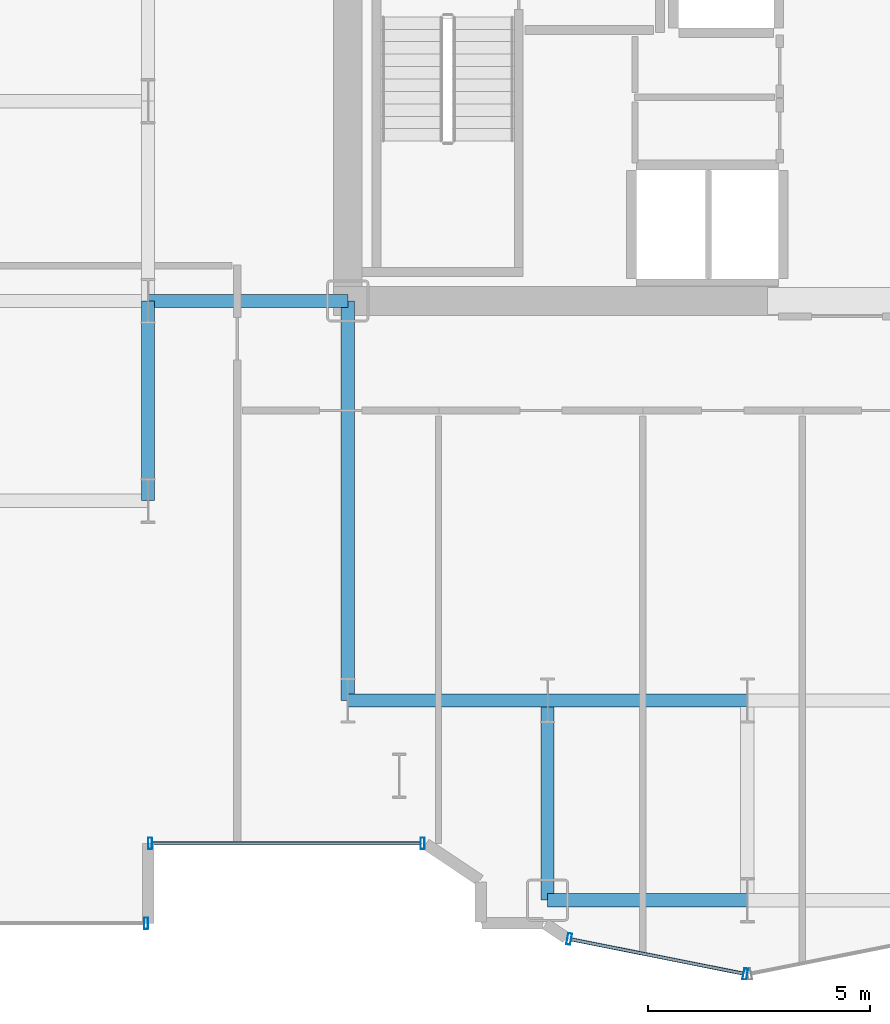
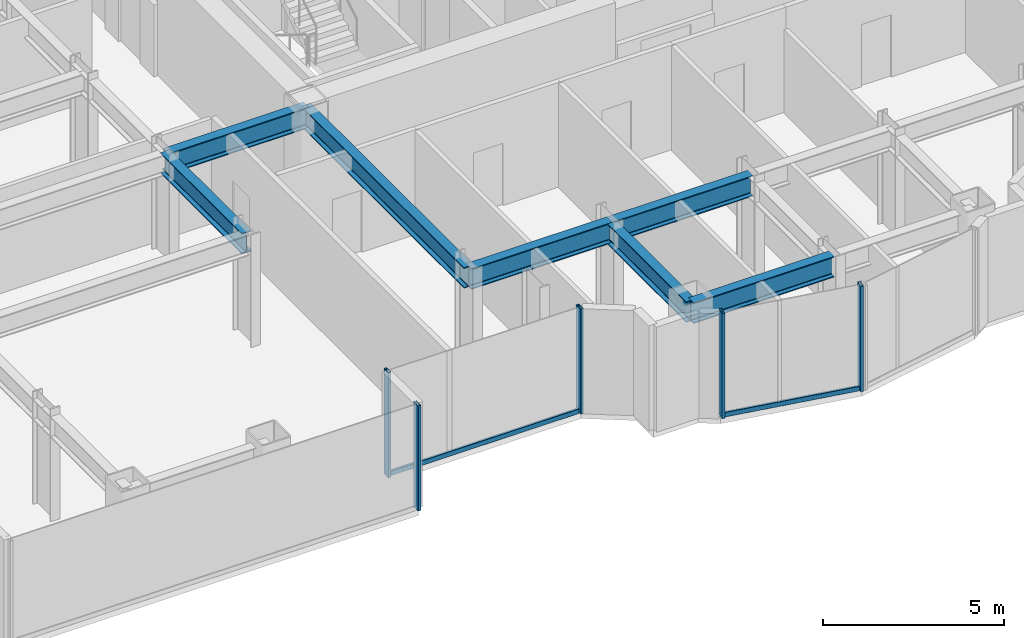
# One storey, part 4 of 26: 7 beams, 7 members, 3 elements without a shape of their own.
"""IFC4 building model written with IfcOpenShell, lengths in metres."""

from ifc_helpers import new_model, si_unit, direction, frame, origin, origin_2d, place, context, subcontext, project, spatial, hollow_rectangle, i_section, extrude, source, transform, mapped, material, layer, layer_set, material_profile, profile_set, type_object, element, aggregate, save


model = new_model("IFC4")

# Units and contexts
model_context = context("Model", 3, precision=1e-05, world=origin(), true_north=direction((0.0, 1.0)))
body_context = subcontext(model_context, "Body", "Model", "MODEL_VIEW")
ifc_project = project(units=[si_unit("LENGTHUNIT", "METRE"), si_unit("AREAUNIT", "SQUARE_METRE"), si_unit("VOLUMEUNIT", "CUBIC_METRE"), si_unit("PLANEANGLEUNIT", "RADIAN"), si_unit("MASSUNIT", "GRAM", prefix="KILO")], contexts=[model_context])

# Site, building, storey
site_placement = place(None, origin())
site = spatial("IfcSite", under=ifc_project, at=site_placement, CompositionType="ELEMENT")
building_placement = place(site_placement, origin())
building = spatial("IfcBuilding", under=site, at=building_placement, Name="Nefas-Gora Pilgrimage Tower", CompositionType="ELEMENT")
storey_placement = place(building_placement, frame((0.0, 0.0, 40.60009765625)))
storey = spatial("IfcBuildingStorey", under=building, at=storey_placement, Name="L08", CompositionType="ELEMENT", Elevation=40.60009765625)

# Beams
ifc_material_1 = material(Name="Steel S355", Category="steel")
ifc_material_profile_1 = material_profile(ifc_material_1, i_section(OverallWidth=0.300048828125, OverallDepth=0.699951171875, WebThickness=0.01708984375, FlangeThickness=0.031982421875, FilletRadius=0.027099609375, at=origin_2d()), Name="HEB 700")
ifc_profile_set_1 = profile_set([ifc_material_profile_1], Name="Steel S355")
beam_type = type_object("IfcBeamType", Name="BM-GIR-HEB700", PredefinedType="BEAM", material=ifc_profile_set_1)
shared_shape_1 = source(origin(), body_context, "Body", "SweptSolid", [
    extrude(i_section(OverallWidth=0.300048828125, OverallDepth=0.699951171875, WebThickness=0.01708984375, FlangeThickness=0.031982421875, FilletRadius=0.027099609375, at=origin_2d()), origin(), (0.0, 0.0, 1.0), 9.0),
])
beam_placement = place(storey_placement, frame((-11.25, -18.0, 3.199951171875), z_axis=(0.0, 1.0, 0.0), x_axis=(-1.0, 0.0, 0.0)))
element("IfcBeam", 1, at=beam_placement, inside=storey, type_object=beam_type, Name="L08 G-02 beam", PredefinedType="BEAM", context=body_context, shape_type="MappedRepresentation", body=[
    mapped(shared_shape_1, transform((0.0, 0.0, 0.0), x_axis=(1.0, 0.0, 0.0), y_axis=(0.0, 1.0, 0.0), z_axis=(0.0, 0.0, 1.0), scale=1.0)),
])
shared_shape_2 = source(origin(), body_context, "Body", "SweptSolid", [
    extrude(i_section(OverallWidth=0.300048828125, OverallDepth=0.699951171875, WebThickness=0.01708984375, FlangeThickness=0.031982421875, FilletRadius=0.027099609375, at=origin_2d()), origin(), (0.0, 0.0, 1.0), 4.5),
])
for number, where, z_axis, x_axis, name in (
    (2, (-15.75, -13.5, 3.199951171875), (0.0, 1.0, 0.0), (-1.0, 0.0, 0.0), "L08 G-02 beam"),
    (3, (-15.75, -9.0, 3.199951171875), (1.0, 0.0, 0.0), (0.0, 1.0, 0.0), "L08 G-02 beam"),
    (4, (-11.25, -18.0, 3.199951171875), (1.0, 0.0, 0.0), (0.0, 1.0, 0.0), "L08 G-02 beam"),
    (5, (-6.75, -22.5, 3.199951171875), (0.0, 1.0, 0.0), (-1.0, 0.0, 0.0), "L08 G-02 beam"),
    (6, (-6.75, -22.5, 3.199951171875), (1.0, 0.0, 0.0), (0.0, 1.0, 0.0), "L08 G-02 beam"),
    (7, (-6.75, -18.0, 3.199951171875), (1.0, 0.0, 0.0), (0.0, 1.0, 0.0), "L08 G-02 beam"),
):
    element("IfcBeam", number, at=place(storey_placement, frame(where, z_axis=z_axis, x_axis=x_axis)), inside=storey, type_object=beam_type, Name=name, PredefinedType="BEAM", context=body_context, shape_type="MappedRepresentation", body=[
        mapped(shared_shape_2, transform((0.0, 0.0, 0.0), x_axis=(1.0, 0.0, 0.0), y_axis=(0.0, 1.0, 0.0), z_axis=(0.0, 0.0, 1.0), scale=1.0)),
    ])

# Curtain wall, member
ifc_material_2 = material(Name="Dark ceramic-fritted solar-control aluminium-glass curtain wall", Category="aluminium")
ifc_layer_1 = layer(ifc_material_2, 0.219970703125)
ifc_layer_set_1 = layer_set([ifc_layer_1], Name="Dark ceramic-fritted solar-control aluminium-glass curtain wall")
curtain_wall_type_1 = type_object("IfcCurtainWallType", Name="CW-SYS-5", PredefinedType="NOTDEFINED", material=ifc_layer_set_1)
curtain_wall_1_placement = place(storey_placement, origin())
curtain_wall_1 = element("IfcCurtainWall", 8, at=curtain_wall_1_placement, inside=storey, type_object=curtain_wall_type_1, Name="L08 Unitised Curtain Wall CW5", PredefinedType="NOTDEFINED")
ifc_material_3 = material(Name="Anodised architectural aluminium", Category="aluminium")
ifc_material_profile_2 = material_profile(ifc_material_3, hollow_rectangle(XDim=0.080078125, YDim=0.159912109375, WallThickness=0.00439453125, InnerFilletRadius=0.00439453125, OuterFilletRadius=0.009033203125, at=origin_2d()), Name="ALU TRANSOM 80x160")
ifc_profile_set_2 = profile_set([ifc_material_profile_2], Name="Anodised architectural aluminium")
member_type_1 = type_object("IfcMemberType", Name="CWM-TRN-5", PredefinedType="USERDEFINED", material=ifc_profile_set_2)
shared_shape_3 = source(origin(), body_context, "Body", "SweptSolid", [
    extrude(hollow_rectangle(XDim=0.080078125, YDim=0.159912109375, WallThickness=0.00439453125, InnerFilletRadius=0.00439453125, OuterFilletRadius=0.009033203125, at=origin_2d()), origin(), (0.0, 0.0, 1.0), 6.052001953125),
])
member_1_placement = place(storey_placement, frame((-15.659912109375, -21.219970703125, 0.0498046875), z_axis=(1.0, 0.0, 0.0), x_axis=(0.0, 1.0, 0.0)))
member_1 = element("IfcMember", 9, at=member_1_placement, type_object=member_type_1, Name="CW5 Spandrel Transom", ObjectType="TRANSOM", PredefinedType="USERDEFINED", context=body_context, shape_type="MappedRepresentation", body=[
    mapped(shared_shape_3, transform((0.0, 0.0, 0.0), x_axis=(1.0, 0.0, 0.0), y_axis=(0.0, 1.0, 0.0), z_axis=(0.0, 0.0, 1.0), scale=1.0)),
])

curtain_wall_2_placement = place(storey_placement, origin())
curtain_wall_2 = element("IfcCurtainWall", 10, at=curtain_wall_2_placement, inside=storey, type_object=curtain_wall_type_1, Name="L08 Unitised Curtain Wall CW5", PredefinedType="NOTDEFINED")
shared_shape_4 = source(origin(), body_context, "Body", "SweptSolid", [
    extrude(hollow_rectangle(XDim=0.080078125, YDim=0.159912109375, WallThickness=0.00439453125, InnerFilletRadius=0.00439453125, OuterFilletRadius=0.009033203125, at=origin_2d()), origin(), (0.0, 0.0, 1.0), 3.95654296875),
])
member_2_placement = place(storey_placement, frame((-6.218994140625, -23.3828125, 0.0498046875), z_axis=(0.980781880918, -0.195107411605, 0.0), x_axis=(0.195107411605, 0.980781880918, 0.0)))
member_2 = element("IfcMember", 11, at=member_2_placement, type_object=member_type_1, Name="CW5 Spandrel Transom", ObjectType="TRANSOM", PredefinedType="USERDEFINED", context=body_context, shape_type="MappedRepresentation", body=[
    mapped(shared_shape_4, transform((0.0, 0.0, 0.0), x_axis=(1.0, 0.0, 0.0), y_axis=(0.0, 1.0, 0.0), z_axis=(0.0, 0.0, 1.0), scale=1.0)),
])

# Member
ifc_material_profile_3 = material_profile(ifc_material_3, hollow_rectangle(XDim=0.090087890625, YDim=0.260009765625, WallThickness=0.006103515625, InnerFilletRadius=0.006103515625, OuterFilletRadius=0.011962890625, at=origin_2d()), Name="ALU MULLION 90x260")
ifc_profile_set_3 = profile_set([ifc_material_profile_3], Name="Anodised architectural aluminium")
member_type_2 = type_object("IfcMemberType", Name="CWM-MUL-5", PredefinedType="MULLION", material=ifc_profile_set_3)
shared_shape_5 = source(origin(), body_context, "Body", "SweptSolid", [
    extrude(hollow_rectangle(XDim=0.090087890625, YDim=0.260009765625, WallThickness=0.006103515625, InnerFilletRadius=0.006103515625, OuterFilletRadius=0.011962890625, at=origin_2d()), origin(), (0.0, 0.0, 1.0), 3.5498046875),
])
member_3_placement = place(storey_placement, frame((-15.705078125, -21.219970703125, 0.0), z_axis=(0.0, 0.0, 1.0), x_axis=(1.0, 0.0, 0.0)))
member_3 = element("IfcMember", 12, at=member_3_placement, type_object=member_type_2, Name="CW5 Mullion 1", PredefinedType="MULLION", context=body_context, shape_type="MappedRepresentation", body=[
    mapped(shared_shape_5, transform((0.0, 0.0, 0.0), x_axis=(1.0, 0.0, 0.0), y_axis=(0.0, 1.0, 0.0), z_axis=(0.0, 0.0, 1.0), scale=1.0)),
])

member_4_placement = place(storey_placement, frame((-9.56298828125, -21.219970703125, 0.0), z_axis=(0.0, 0.0, 1.0), x_axis=(1.0, 0.0, 0.0)))
member_4 = element("IfcMember", 13, at=member_4_placement, type_object=member_type_2, Name="CW5 Mullion 2", PredefinedType="MULLION", context=body_context, shape_type="MappedRepresentation", body=[
    mapped(shared_shape_5, transform((0.0, 0.0, 0.0), x_axis=(1.0, 0.0, 0.0), y_axis=(0.0, 1.0, 0.0), z_axis=(0.0, 0.0, 1.0), scale=1.0)),
])

aggregate(curtain_wall_1, [member_3, member_4, member_1])

member_5_placement = place(storey_placement, frame((-6.26318359375, -23.3740234375, 0.0), z_axis=(0.0, 0.0, 1.0), x_axis=(0.980782896852, -0.195102304554, 0.0)))
member_5 = element("IfcMember", 14, at=member_5_placement, type_object=member_type_2, Name="CW5 Mullion 1", PredefinedType="MULLION", context=body_context, shape_type="MappedRepresentation", body=[
    mapped(shared_shape_5, transform((0.0, 0.0, 0.0), x_axis=(1.0, 0.0, 0.0), y_axis=(0.0, 1.0, 0.0), z_axis=(0.0, 0.0, 1.0), scale=1.0)),
])

member_6_placement = place(storey_placement, frame((-2.294189453125, -24.16357421875, 0.0), z_axis=(0.0, 0.0, 1.0), x_axis=(0.980782896852, -0.195102304554, 0.0)))
member_6 = element("IfcMember", 15, at=member_6_placement, type_object=member_type_2, Name="CW5 Mullion 2", PredefinedType="MULLION", context=body_context, shape_type="MappedRepresentation", body=[
    mapped(shared_shape_5, transform((0.0, 0.0, 0.0), x_axis=(1.0, 0.0, 0.0), y_axis=(0.0, 1.0, 0.0), z_axis=(0.0, 0.0, 1.0), scale=1.0)),
])

aggregate(curtain_wall_2, [member_5, member_6, member_2])

# Curtain wall, member
ifc_layer_2 = layer(ifc_material_2, 0.219970703125)
ifc_layer_set_2 = layer_set([ifc_layer_2], Name="Dark ceramic-fritted solar-control aluminium-glass curtain wall")
curtain_wall_type_2 = type_object("IfcCurtainWallType", Name="CW-SYS-2", PredefinedType="NOTDEFINED", material=ifc_layer_set_2)
curtain_wall_3_placement = place(storey_placement, origin())
curtain_wall_3 = element("IfcCurtainWall", 16, at=curtain_wall_3_placement, inside=storey, type_object=curtain_wall_type_2, Name="L08 Unitised Curtain Wall CW2", PredefinedType="NOTDEFINED")
ifc_material_profile_4 = material_profile(ifc_material_3, hollow_rectangle(XDim=0.090087890625, YDim=0.260009765625, WallThickness=0.006103515625, InnerFilletRadius=0.006103515625, OuterFilletRadius=0.011962890625, at=origin_2d()), Name="ALU MULLION 90x260")
ifc_profile_set_4 = profile_set([ifc_material_profile_4], Name="Anodised architectural aluminium")
member_type_3 = type_object("IfcMemberType", Name="CWM-MUL-2", PredefinedType="MULLION", material=ifc_profile_set_4)
shared_shape_6 = source(origin(), body_context, "Body", "SweptSolid", [
    extrude(hollow_rectangle(XDim=0.090087890625, YDim=0.260009765625, WallThickness=0.006103515625, InnerFilletRadius=0.006103515625, OuterFilletRadius=0.011962890625, at=origin_2d()), origin(), (0.0, 0.0, 1.0), 3.5498046875),
])
member_7_placement = place(storey_placement, frame((-15.794921875, -23.02001953125, 0.0), z_axis=(0.0, 0.0, 1.0), x_axis=(1.0, 0.0, 0.0)))
member_7 = element("IfcMember", 17, at=member_7_placement, type_object=member_type_3, Name="CW2 Mullion 2", PredefinedType="MULLION", context=body_context, shape_type="MappedRepresentation", body=[
    mapped(shared_shape_6, transform((0.0, 0.0, 0.0), x_axis=(1.0, 0.0, 0.0), y_axis=(0.0, 1.0, 0.0), z_axis=(0.0, 0.0, 1.0), scale=1.0)),
])
aggregate(curtain_wall_3, [member_7])

save(model, "model.ifc")
